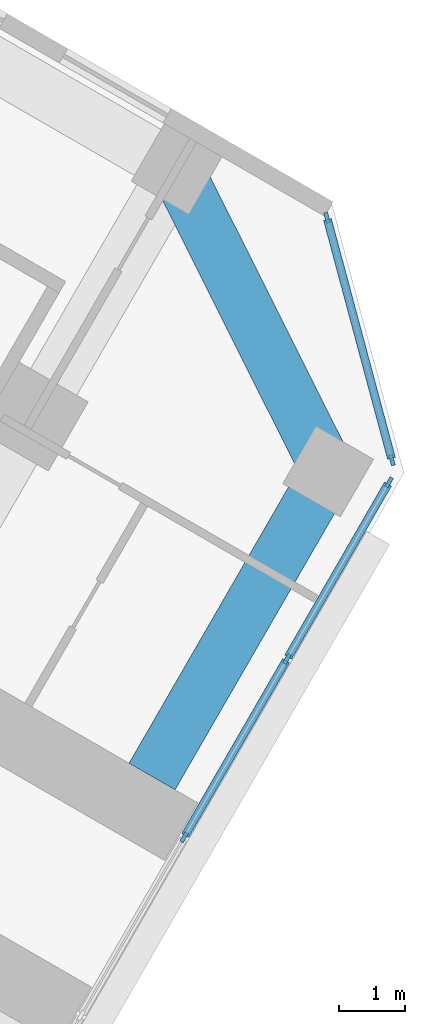
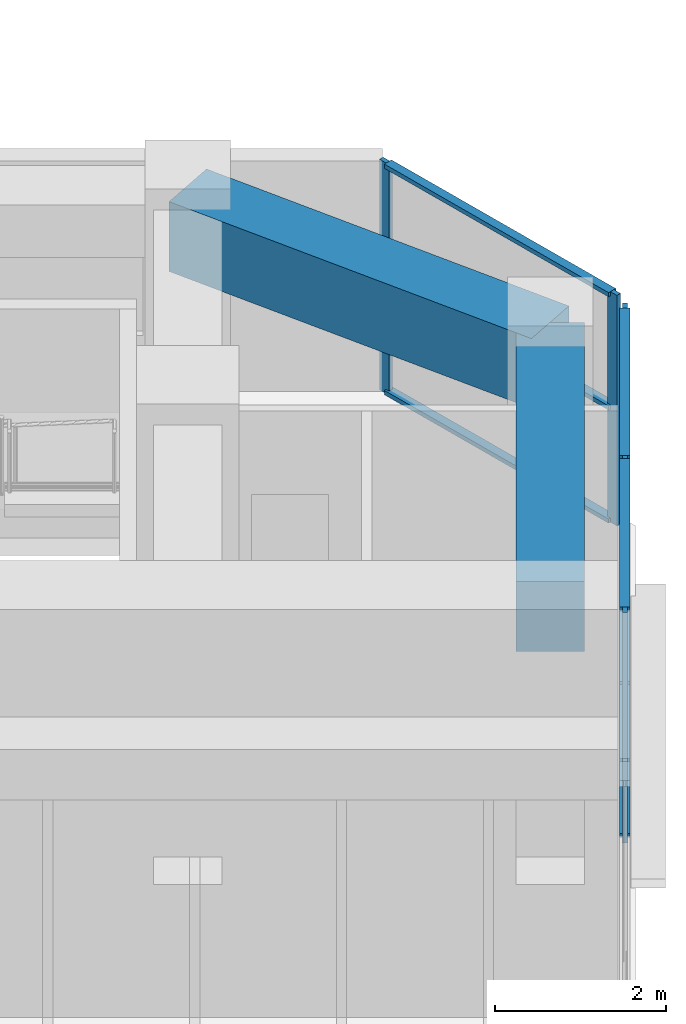
# One storey, part 8 of 21: 12 members, 2 beams, 2 elements without a shape of their own.
"""IFC4 building model written with IfcOpenShell, lengths in metres."""

from ifc_helpers import new_model, si_unit, direction, frame, origin, origin_2d, place, context, subcontext, project, spatial, rectangle, extrude, material, material_profile, profile_set, type_object, element, aggregate, save


model = new_model("IFC4")

# Units and contexts
model_context = context("Model", 3, precision=1e-05, world=origin(), true_north=direction((0.0, 1.0)))
body_context = subcontext(model_context, "Body", "Model", "MODEL_VIEW")
ifc_project = project(units=[si_unit("LENGTHUNIT", "METRE"), si_unit("AREAUNIT", "SQUARE_METRE"), si_unit("VOLUMEUNIT", "CUBIC_METRE"), si_unit("PLANEANGLEUNIT", "RADIAN"), si_unit("MASSUNIT", "GRAM", prefix="KILO")], contexts=[model_context])

# Site, building, storey
site_placement = place(None, origin())
site = spatial("IfcSite", under=ifc_project, at=site_placement, CompositionType="ELEMENT")
building_placement = place(site_placement, origin())
building = spatial("IfcBuilding", under=site, at=building_placement, Name="Kosmar Iwan School Tower", CompositionType="ELEMENT")
storey_placement = place(building_placement, frame((0.0, 0.0, 109.60009765625)))
storey = spatial("IfcBuildingStorey", under=building, at=storey_placement, Name="L27", CompositionType="ELEMENT", Elevation=109.60009765625)

# Beams
ifc_material_1 = material(Name="Concrete C50/60", Category="concrete")
ifc_material_profile_1 = material_profile(ifc_material_1, rectangle(XDim=0.800048828125, YDim=1.0, at=origin_2d()), Name="RC 800x1000 + HD 400x347")
ifc_profile_set_1 = profile_set([ifc_material_profile_1], Name="Concrete C50/60")
beam_type = type_object("IfcBeamType", Name="Composite tip beam 800x1000 HD 400x347", PredefinedType="BEAM", material=ifc_profile_set_1)
beam_1_placement = place(storey_placement, frame((30.517822265625, -5.841552734375, 2.7998046875), z_axis=(0.44809604203, -0.893985423325, 0.0), x_axis=(0.893985423325, 0.44809604203, 0.0)))
element("IfcBeam", 1, at=beam_1_placement, inside=storey, type_object=beam_type, Name="Tip beam CL", PredefinedType="BEAM", context=body_context, shape_type="SweptSolid", body=[
    extrude(rectangle(XDim=0.800048828125, YDim=1.0, at=origin_2d()), origin(), (0.0, 0.0, 1.0), 5.08935546875),
])
beam_2_placement = place(storey_placement, frame((32.79833984375, -10.391357421875, 2.7998046875), z_axis=(-0.499973660256, -0.866040610509, 0.0), x_axis=(0.866040610509, -0.499973660256, 0.0)))
element("IfcBeam", 2, at=beam_2_placement, inside=storey, type_object=beam_type, Name="Tip beam CL to corridor wall", PredefinedType="BEAM", context=body_context, shape_type="SweptSolid", body=[
    extrude(rectangle(XDim=0.800048828125, YDim=1.0, at=origin_2d()), origin(), (0.0, 0.0, 1.0), 5.300048828125),
])

# Curtain wall, members
ifc_material_2 = material(Name="Dark glass in black aluminium frame", Category="aluminium")
curtain_wall_type_1 = type_object("IfcCurtainWallType", Name="Tower curtain wall dark glass", PredefinedType="USERDEFINED", material=ifc_material_2)
curtain_wall_1_placement = place(storey_placement, origin())
curtain_wall_1 = element("IfcCurtainWall", 3, at=curtain_wall_1_placement, inside=storey, type_object=curtain_wall_type_1, Name="Curtain wall L27-F03", ObjectType="UNITISED CURTAIN WALL", PredefinedType="USERDEFINED")
ifc_material_3 = material(Name="Black anodised aluminium", Category="aluminium")
ifc_material_profile_2 = material_profile(ifc_material_3, rectangle(XDim=0.06005859375, YDim=0.159912109375, at=origin_2d()), Name="MULLION 60x160")
ifc_profile_set_2 = profile_set([ifc_material_profile_2], Name="Black anodised aluminium")
member_type_1 = type_object("IfcMemberType", Name="Mullion 60x160", PredefinedType="MULLION", material=ifc_profile_set_2)
member_1_placement = place(storey_placement, frame((30.631103515625, -15.8955078125, 0.0), z_axis=(0.0, 0.0, 1.0), x_axis=(-0.866025405329, 0.499999997325, 0.0)))
member_1 = element("IfcMember", 4, at=member_1_placement, type_object=member_type_1, Name="CW1 mullion 4", PredefinedType="MULLION", context=body_context, shape_type="SweptSolid", body=[
    extrude(rectangle(XDim=0.06005859375, YDim=0.159912109375, at=origin_2d()), origin(), (0.0, 0.0, 1.0), 3.2998046875),
])
member_2_placement = place(storey_placement, frame((32.1806640625, -13.21142578125, 0.0), z_axis=(0.0, 0.0, 1.0), x_axis=(-0.866025405329, 0.499999997325, 0.0)))
member_2 = element("IfcMember", 5, at=member_2_placement, type_object=member_type_1, Name="CW1 mullion 5", PredefinedType="MULLION", context=body_context, shape_type="SweptSolid", body=[
    extrude(rectangle(XDim=0.06005859375, YDim=0.159912109375, at=origin_2d()), origin(), (0.0, 0.0, 1.0), 3.2998046875),
])
member_3_placement = place(storey_placement, frame((33.71533203125, -10.55322265625, 0.0), z_axis=(0.0, 0.0, 1.0), x_axis=(-0.866025405329, 0.499999997325, 0.0)))
member_3 = element("IfcMember", 6, at=member_3_placement, type_object=member_type_1, Name="CW1 mullion 6", PredefinedType="MULLION", context=body_context, shape_type="SweptSolid", body=[
    extrude(rectangle(XDim=0.06005859375, YDim=0.159912109375, at=origin_2d()), origin(), (0.0, 0.0, 1.0), 3.2998046875),
])

ifc_material_4 = material(Name="Dark glass in black aluminium frame", Category="aluminium")
curtain_wall_type_2 = type_object("IfcCurtainWallType", Name="Chamfer curtain wall dark glass", PredefinedType="USERDEFINED", material=ifc_material_4)
curtain_wall_2_placement = place(storey_placement, origin())
curtain_wall_2 = element("IfcCurtainWall", 7, at=curtain_wall_2_placement, inside=storey, type_object=curtain_wall_type_2, Name="Curtain wall L27-F04", ObjectType="FACETED CURTAIN WALL", PredefinedType="USERDEFINED")
member_4_placement = place(storey_placement, frame((33.7587890625, -10.2236328125, 0.0), z_axis=(0.0, 0.0, 1.0), x_axis=(-0.965925875495, -0.258818861462, 0.0)))
member_4 = element("IfcMember", 8, at=member_4_placement, type_object=member_type_1, Name="CW2 mullion 1", PredefinedType="MULLION", context=body_context, shape_type="SweptSolid", body=[
    extrude(rectangle(XDim=0.06005859375, YDim=0.159912109375, at=origin_2d()), origin(), (0.0, 0.0, 1.0), 3.2998046875),
])
member_5_placement = place(storey_placement, frame((32.78076171875, -6.5732421875, 0.0), z_axis=(0.0, 0.0, 1.0), x_axis=(-0.965925875495, -0.258818861462, 0.0)))
member_5 = element("IfcMember", 9, at=member_5_placement, type_object=member_type_1, Name="CW2 mullion 2", PredefinedType="MULLION", context=body_context, shape_type="SweptSolid", body=[
    extrude(rectangle(XDim=0.06005859375, YDim=0.159912109375, at=origin_2d()), origin(), (0.0, 0.0, 1.0), 3.2998046875),
])

# Member
ifc_material_5 = material(Name="Black anodised aluminium", Category="aluminium")
ifc_material_profile_3 = material_profile(ifc_material_5, rectangle(XDim=0.1201171875, YDim=0.06005859375, at=origin_2d()), Name="TRANSOM 60x120")
ifc_profile_set_3 = profile_set([ifc_material_profile_3], Name="Black anodised aluminium")
member_type_2 = type_object("IfcMemberType", Name="Transom 60x120", PredefinedType="USERDEFINED", material=ifc_profile_set_3)
member_6_placement = place(storey_placement, frame((30.64599609375, -15.869384765625, 0.02978515625), z_axis=(0.500035348339, 0.866004994449, 0.0), x_axis=(-0.866004994449, 0.500035348339, 0.0)))
member_6 = element("IfcMember", 10, at=member_6_placement, type_object=member_type_2, Name="CW1 transom 4.1", ObjectType="TRANSOM", PredefinedType="USERDEFINED", context=body_context, shape_type="SweptSolid", body=[
    extrude(rectangle(XDim=0.1201171875, YDim=0.06005859375, at=origin_2d()), origin(), (0.0, 0.0, 1.0), 3.039306640625),
])

member_7_placement = place(storey_placement, frame((30.64599609375, -15.869384765625, 3.27001953125), z_axis=(0.500035348339, 0.866004994449, 0.0), x_axis=(-0.866004994449, 0.500035348339, 0.0)))
member_7 = element("IfcMember", 11, at=member_7_placement, type_object=member_type_2, Name="CW1 transom 4.2", ObjectType="TRANSOM", PredefinedType="USERDEFINED", context=body_context, shape_type="SweptSolid", body=[
    extrude(rectangle(XDim=0.1201171875, YDim=0.06005859375, at=origin_2d()), origin(), (0.0, 0.0, 1.0), 3.039306640625),
])

member_8_placement = place(storey_placement, frame((32.19580078125, -13.185302734375, 0.02978515625), z_axis=(0.500022102064, 0.866012642776, 0.0), x_axis=(-0.866012642776, 0.500022102064, 0.0)))
member_8 = element("IfcMember", 12, at=member_8_placement, type_object=member_type_2, Name="CW1 transom 5.1", ObjectType="TRANSOM", PredefinedType="USERDEFINED", context=body_context, shape_type="SweptSolid", body=[
    extrude(rectangle(XDim=0.1201171875, YDim=0.06005859375, at=origin_2d()), origin(), (0.0, 0.0, 1.0), 3.009033203125),
])

member_9_placement = place(storey_placement, frame((32.19580078125, -13.185302734375, 3.27001953125), z_axis=(0.500022102064, 0.866012642776, 0.0), x_axis=(-0.866012642776, 0.500022102064, 0.0)))
member_9 = element("IfcMember", 13, at=member_9_placement, type_object=member_type_2, Name="CW1 transom 5.2", ObjectType="TRANSOM", PredefinedType="USERDEFINED", context=body_context, shape_type="SweptSolid", body=[
    extrude(rectangle(XDim=0.1201171875, YDim=0.06005859375, at=origin_2d()), origin(), (0.0, 0.0, 1.0), 3.009033203125),
])

aggregate(curtain_wall_1, [member_1, member_2, member_3, member_6, member_7, member_8, member_9])

member_10_placement = place(storey_placement, frame((33.7509765625, -10.194580078125, 0.02978515625), z_axis=(-0.258843273983, 0.965919333854, 0.0), x_axis=(-0.965919333854, -0.258843273983, 0.0)))
member_10 = element("IfcMember", 14, at=member_10_placement, type_object=member_type_2, Name="CW2 transom 1.1", ObjectType="TRANSOM", PredefinedType="USERDEFINED", context=body_context, shape_type="SweptSolid", body=[
    extrude(rectangle(XDim=0.1201171875, YDim=0.06005859375, at=origin_2d()), origin(), (0.0, 0.0, 1.0), 3.718994140625),
])

member_11_placement = place(storey_placement, frame((33.7509765625, -10.194580078125, 1.64990234375), z_axis=(-0.258843273983, 0.965919333854, 0.0), x_axis=(-0.965919333854, -0.258843273983, 0.0)))
member_11 = element("IfcMember", 15, at=member_11_placement, type_object=member_type_2, Name="CW2 transom 1.2", ObjectType="TRANSOM", PredefinedType="USERDEFINED", context=body_context, shape_type="SweptSolid", body=[
    extrude(rectangle(XDim=0.1201171875, YDim=0.06005859375, at=origin_2d()), origin(), (0.0, 0.0, 1.0), 3.718994140625),
])

member_12_placement = place(storey_placement, frame((33.7509765625, -10.194580078125, 3.27001953125), z_axis=(-0.258843273983, 0.965919333854, 0.0), x_axis=(-0.965919333854, -0.258843273983, 0.0)))
member_12 = element("IfcMember", 16, at=member_12_placement, type_object=member_type_2, Name="CW2 transom 1.3", ObjectType="TRANSOM", PredefinedType="USERDEFINED", context=body_context, shape_type="SweptSolid", body=[
    extrude(rectangle(XDim=0.1201171875, YDim=0.06005859375, at=origin_2d()), origin(), (0.0, 0.0, 1.0), 3.718994140625),
])

aggregate(curtain_wall_2, [member_4, member_5, member_10, member_11, member_12])

save(model, "model.ifc")
